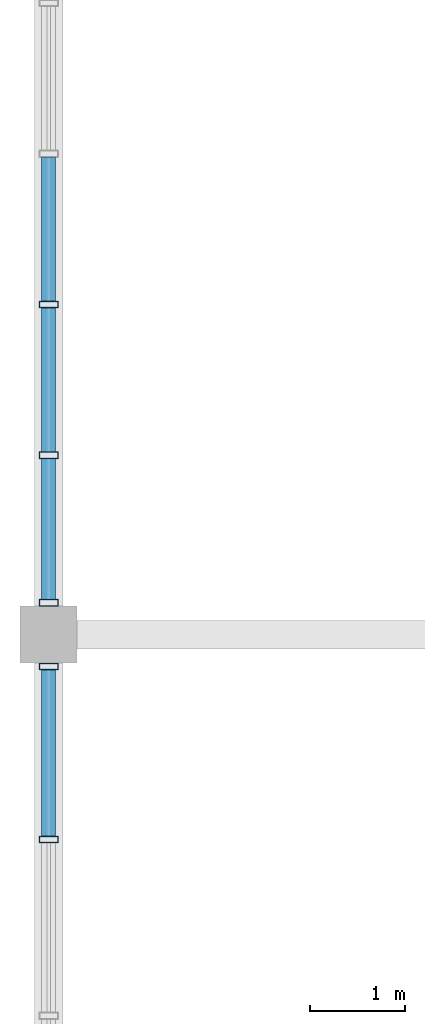
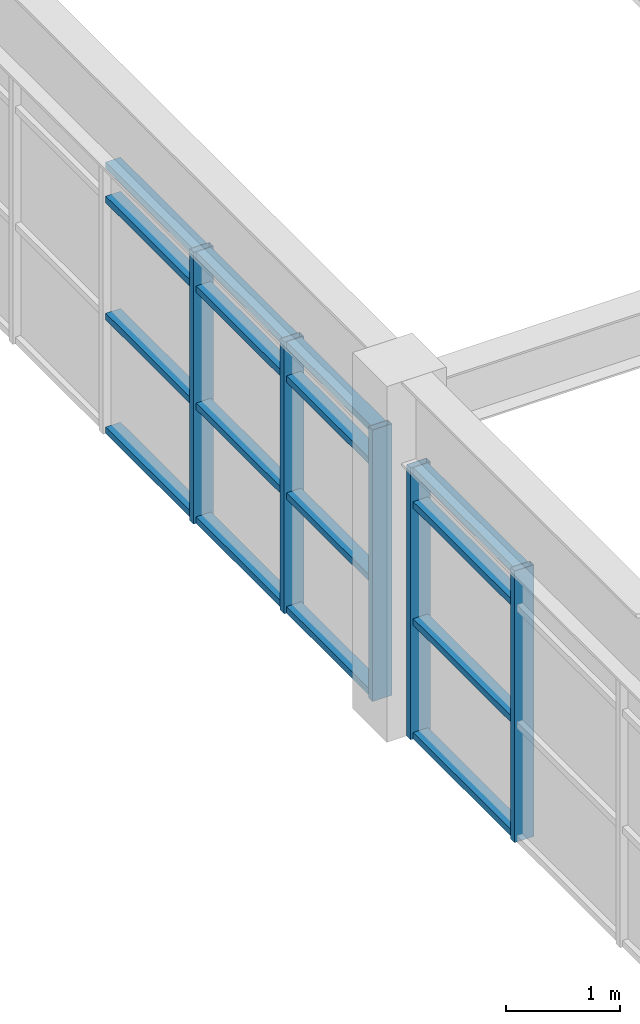
# One storey, part 5 of 28: 21 members, 2 elements without a shape of their own.
"""IFC4 building model written with IfcOpenShell, lengths in metres."""

from ifc_helpers import new_model, si_unit, direction, frame, origin, origin_2d, place, context, subcontext, project, spatial, hollow_rectangle, extrude, source, transform, mapped, material, layer, layer_set, material_profile, profile_set, type_object, element, aggregate, save


model = new_model("IFC4")

# Units and contexts
model_context = context("Model", 3, precision=1e-05, world=origin(), true_north=direction((0.0, 1.0)))
body_context = subcontext(model_context, "Body", "Model", "MODEL_VIEW")
ifc_project = project(units=[si_unit("LENGTHUNIT", "METRE"), si_unit("AREAUNIT", "SQUARE_METRE"), si_unit("VOLUMEUNIT", "CUBIC_METRE"), si_unit("PLANEANGLEUNIT", "RADIAN"), si_unit("MASSUNIT", "GRAM", prefix="KILO")], contexts=[model_context])

# Site, building, storey
site_placement = place(None, origin())
site = spatial("IfcSite", under=ifc_project, at=site_placement, CompositionType="ELEMENT")
building_placement = place(site_placement, origin())
building = spatial("IfcBuilding", under=site, at=building_placement, Name="Saelheon Loggia Tower", CompositionType="ELEMENT")
storey_placement = place(building_placement, frame((0.0, 0.0, 271.199951171875)))
storey = spatial("IfcBuildingStorey", under=building, at=storey_placement, Name="CR6", CompositionType="ELEMENT", Elevation=271.199951171875)

# Curtain wall, members
ifc_material_1 = material(Name="Bronze-Anodised Aluminium and Fritted Ceramic Screen", Category="aluminium")
ifc_layer = layer(ifc_material_1, 0.219970703125)
ifc_layer_set = layer_set([ifc_layer], Name="Bronze-Anodised Aluminium and Fritted Ceramic Screen")
curtain_wall_type = type_object("IfcCurtainWallType", Name="CW_CrownScreen", PredefinedType="NOTDEFINED", material=ifc_layer_set)
curtain_wall_1_placement = place(storey_placement, origin())
curtain_wall_1 = element("IfcCurtainWall", 1, at=curtain_wall_1_placement, inside=storey, type_object=curtain_wall_type, Name="CR6 Crown Screen Curtain Wall 9-2", PredefinedType="NOTDEFINED")
ifc_material_2 = material(Name="Bronze-Anodised Aluminium 6063-T6", Category="aluminium")
ifc_material_profile_1 = material_profile(ifc_material_2, hollow_rectangle(XDim=0.070068359375, YDim=0.199951171875, WallThickness=0.0048828125, at=origin_2d()), Name="RHS-200x70x5")
ifc_profile_set_1 = profile_set([ifc_material_profile_1], Name="Bronze-Anodised Aluminium 6063-T6")
member_type_1 = type_object("IfcMemberType", Name="CW_CrownScreen_Mullion", PredefinedType="MULLION", material=ifc_profile_set_1)
shared_shape_1 = source(origin(), body_context, "Body", "SweptSolid", [
    extrude(hollow_rectangle(XDim=0.070068359375, YDim=0.199951171875, WallThickness=0.0048828125, at=origin_2d()), origin(), (0.0, 0.0, 1.0), 2.900146484375),
])
member_1_placement = place(storey_placement, frame((23.35009765625, 21.463623046875, 0.0), z_axis=(0.0, 0.0, 1.0), x_axis=(0.0, -1.0, 0.0)))
member_1 = element("IfcMember", 2, at=member_1_placement, type_object=member_type_1, Name="CW6 mullion 10", PredefinedType="MULLION", context=body_context, shape_type="MappedRepresentation", body=[
    mapped(shared_shape_1, transform((0.0, 0.0, 0.0), scale=1.0)),
])
member_2_placement = place(storey_placement, frame((23.35009765625, 19.8818359375, 0.0), z_axis=(0.0, 0.0, 1.0), x_axis=(0.0, -1.0, 0.0)))
member_2 = element("IfcMember", 3, at=member_2_placement, type_object=member_type_1, Name="CW6 mullion 11", PredefinedType="MULLION", context=body_context, shape_type="MappedRepresentation", body=[
    mapped(shared_shape_1, transform((0.0, 0.0, 0.0), scale=1.0)),
])
member_3_placement = place(storey_placement, frame((23.35009765625, 18.3349609375, 0.0), z_axis=(0.0, 0.0, 1.0), x_axis=(0.0, -1.0, 0.0)))
member_3 = element("IfcMember", 4, at=member_3_placement, type_object=member_type_1, Name="CW6 mullion 12", PredefinedType="MULLION", context=body_context, shape_type="MappedRepresentation", body=[
    mapped(shared_shape_1, transform((0.0, 0.0, 0.0), scale=1.0)),
])

curtain_wall_2_placement = place(storey_placement, origin())
curtain_wall_2 = element("IfcCurtainWall", 5, at=curtain_wall_2_placement, inside=storey, type_object=curtain_wall_type, Name="CR6 Crown Screen Curtain Wall 9-3", PredefinedType="NOTDEFINED")
member_4_placement = place(storey_placement, frame((23.35009765625, 17.6650390625, 0.0), z_axis=(0.0, 0.0, 1.0), x_axis=(0.0, -1.0, 0.0)))
member_4 = element("IfcMember", 6, at=member_4_placement, type_object=member_type_1, Name="CW6 mullion 1", PredefinedType="MULLION", context=body_context, shape_type="MappedRepresentation", body=[
    mapped(shared_shape_1, transform((0.0, 0.0, 0.0), scale=1.0)),
])
member_5_placement = place(storey_placement, frame((23.35009765625, 15.85009765625, 0.0), z_axis=(0.0, 0.0, 1.0), x_axis=(0.0, -1.0, 0.0)))
member_5 = element("IfcMember", 7, at=member_5_placement, type_object=member_type_1, Name="CW6 mullion 2", PredefinedType="MULLION", context=body_context, shape_type="MappedRepresentation", body=[
    mapped(shared_shape_1, transform((0.0, 0.0, 0.0), scale=1.0)),
])
ifc_material_profile_2 = material_profile(ifc_material_2, hollow_rectangle(XDim=0.070068359375, YDim=0.14990234375, WallThickness=0.0048828125, at=origin_2d()), Name="RHS-150x70x5")
ifc_profile_set_2 = profile_set([ifc_material_profile_2], Name="Bronze-Anodised Aluminium 6063-T6")
member_type_2 = type_object("IfcMemberType", Name="CW_CrownScreen_Transom", PredefinedType="USERDEFINED", material=ifc_profile_set_2)
shared_shape_2 = source(origin(), body_context, "Body", "SweptSolid", [
    extrude(hollow_rectangle(XDim=0.070068359375, YDim=0.14990234375, WallThickness=0.0048828125, at=origin_2d()), origin(), (0.0, 0.0, 1.0), 1.744873046875),
])
member_6_placement = place(storey_placement, frame((23.35009765625, 17.6298828125, 0.03515625), z_axis=(0.0, -1.0, 0.0), x_axis=(0.0, 0.0, 1.0)))
member_6 = element("IfcMember", 8, at=member_6_placement, type_object=member_type_2, Name="CW6 transom 1.1", ObjectType="TRANSOM", PredefinedType="USERDEFINED", context=body_context, shape_type="MappedRepresentation", body=[
    mapped(shared_shape_2, transform((0.0, 0.0, 0.0), scale=1.0)),
])
member_7_placement = place(storey_placement, frame((23.35009765625, 17.6298828125, 1.25), z_axis=(0.0, -1.0, 0.0), x_axis=(0.0, 0.0, 1.0)))
member_7 = element("IfcMember", 9, at=member_7_placement, type_object=member_type_2, Name="CW6 transom 1.2", ObjectType="TRANSOM", PredefinedType="USERDEFINED", context=body_context, shape_type="MappedRepresentation", body=[
    mapped(shared_shape_2, transform((0.0, 0.0, 0.0), scale=1.0)),
])
member_8_placement = place(storey_placement, frame((23.35009765625, 17.6298828125, 2.5), z_axis=(0.0, -1.0, 0.0), x_axis=(0.0, 0.0, 1.0)))
member_8 = element("IfcMember", 10, at=member_8_placement, type_object=member_type_2, Name="CW6 transom 1.3", ObjectType="TRANSOM", PredefinedType="USERDEFINED", context=body_context, shape_type="MappedRepresentation", body=[
    mapped(shared_shape_2, transform((0.0, 0.0, 0.0), scale=1.0)),
])
member_9_placement = place(storey_placement, frame((23.35009765625, 17.6298828125, 2.864990234375), z_axis=(0.0, -1.0, 0.0), x_axis=(0.0, 0.0, 1.0)))
member_9 = element("IfcMember", 11, at=member_9_placement, type_object=member_type_2, Name="CW6 transom 1.4", ObjectType="TRANSOM", PredefinedType="USERDEFINED", context=body_context, shape_type="MappedRepresentation", body=[
    mapped(shared_shape_2, transform((0.0, 0.0, 0.0), scale=1.0)),
])
aggregate(curtain_wall_2, [member_4, member_5, member_6, member_7, member_8, member_9])

# Member
shared_shape_3 = source(origin(), body_context, "Body", "SweptSolid", [
    extrude(hollow_rectangle(XDim=0.070068359375, YDim=0.14990234375, WallThickness=0.0048828125, at=origin_2d()), origin(), (0.0, 0.0, 1.0), 1.476806640625),
])
member_10_placement = place(storey_placement, frame((23.35009765625, 19.846923828125, 0.03515625), z_axis=(0.0, -1.0, 0.0), x_axis=(0.0, 0.0, 1.0)))
member_10 = element("IfcMember", 12, at=member_10_placement, type_object=member_type_2, Name="CW6 transom 11.1", ObjectType="TRANSOM", PredefinedType="USERDEFINED", context=body_context, shape_type="MappedRepresentation", body=[
    mapped(shared_shape_3, transform((0.0, 0.0, 0.0), scale=1.0)),
])

member_11_placement = place(storey_placement, frame((23.35009765625, 19.846923828125, 1.25), z_axis=(0.0, -1.0, 0.0), x_axis=(0.0, 0.0, 1.0)))
member_11 = element("IfcMember", 13, at=member_11_placement, type_object=member_type_2, Name="CW6 transom 11.2", ObjectType="TRANSOM", PredefinedType="USERDEFINED", context=body_context, shape_type="MappedRepresentation", body=[
    mapped(shared_shape_3, transform((0.0, 0.0, 0.0), scale=1.0)),
])

member_12_placement = place(storey_placement, frame((23.35009765625, 19.846923828125, 2.5), z_axis=(0.0, -1.0, 0.0), x_axis=(0.0, 0.0, 1.0)))
member_12 = element("IfcMember", 14, at=member_12_placement, type_object=member_type_2, Name="CW6 transom 11.3", ObjectType="TRANSOM", PredefinedType="USERDEFINED", context=body_context, shape_type="MappedRepresentation", body=[
    mapped(shared_shape_3, transform((0.0, 0.0, 0.0), scale=1.0)),
])

member_13_placement = place(storey_placement, frame((23.35009765625, 19.846923828125, 2.864990234375), z_axis=(0.0, -1.0, 0.0), x_axis=(0.0, 0.0, 1.0)))
member_13 = element("IfcMember", 15, at=member_13_placement, type_object=member_type_2, Name="CW6 transom 11.4", ObjectType="TRANSOM", PredefinedType="USERDEFINED", context=body_context, shape_type="MappedRepresentation", body=[
    mapped(shared_shape_3, transform((0.0, 0.0, 0.0), scale=1.0)),
])

shared_shape_4 = source(origin(), body_context, "Body", "SweptSolid", [
    extrude(hollow_rectangle(XDim=0.070068359375, YDim=0.14990234375, WallThickness=0.0048828125, at=origin_2d()), origin(), (0.0, 0.0, 1.0), 1.511962890625),
])
member_14_placement = place(storey_placement, frame((23.35009765625, 23.010498046875, 0.03515625), z_axis=(0.0, -1.0, 0.0), x_axis=(0.0, 0.0, 1.0)))
member_14 = element("IfcMember", 16, at=member_14_placement, type_object=member_type_2, Name="CW6 transom 9.1", ObjectType="TRANSOM", PredefinedType="USERDEFINED", context=body_context, shape_type="MappedRepresentation", body=[
    mapped(shared_shape_4, transform((0.0, 0.0, 0.0), scale=1.0)),
])

member_15_placement = place(storey_placement, frame((23.35009765625, 23.010498046875, 1.25), z_axis=(0.0, -1.0, 0.0), x_axis=(0.0, 0.0, 1.0)))
member_15 = element("IfcMember", 17, at=member_15_placement, type_object=member_type_2, Name="CW6 transom 9.2", ObjectType="TRANSOM", PredefinedType="USERDEFINED", context=body_context, shape_type="MappedRepresentation", body=[
    mapped(shared_shape_4, transform((0.0, 0.0, 0.0), scale=1.0)),
])

member_16_placement = place(storey_placement, frame((23.35009765625, 23.010498046875, 2.5), z_axis=(0.0, -1.0, 0.0), x_axis=(0.0, 0.0, 1.0)))
member_16 = element("IfcMember", 18, at=member_16_placement, type_object=member_type_2, Name="CW6 transom 9.3", ObjectType="TRANSOM", PredefinedType="USERDEFINED", context=body_context, shape_type="MappedRepresentation", body=[
    mapped(shared_shape_4, transform((0.0, 0.0, 0.0), scale=1.0)),
])

member_17_placement = place(storey_placement, frame((23.35009765625, 23.010498046875, 2.864990234375), z_axis=(0.0, -1.0, 0.0), x_axis=(0.0, 0.0, 1.0)))
member_17 = element("IfcMember", 19, at=member_17_placement, type_object=member_type_2, Name="CW6 transom 9.4", ObjectType="TRANSOM", PredefinedType="USERDEFINED", context=body_context, shape_type="MappedRepresentation", body=[
    mapped(shared_shape_4, transform((0.0, 0.0, 0.0), scale=1.0)),
])

member_18_placement = place(storey_placement, frame((23.35009765625, 21.4287109375, 0.03515625), z_axis=(0.0, -1.0, 0.0), x_axis=(0.0, 0.0, 1.0)))
member_18 = element("IfcMember", 20, at=member_18_placement, type_object=member_type_2, Name="CW6 transom 10.1", ObjectType="TRANSOM", PredefinedType="USERDEFINED", context=body_context, shape_type="MappedRepresentation", body=[
    mapped(shared_shape_4, transform((0.0, 0.0, 0.0), scale=1.0)),
])

member_19_placement = place(storey_placement, frame((23.35009765625, 21.4287109375, 1.25), z_axis=(0.0, -1.0, 0.0), x_axis=(0.0, 0.0, 1.0)))
member_19 = element("IfcMember", 21, at=member_19_placement, type_object=member_type_2, Name="CW6 transom 10.2", ObjectType="TRANSOM", PredefinedType="USERDEFINED", context=body_context, shape_type="MappedRepresentation", body=[
    mapped(shared_shape_4, transform((0.0, 0.0, 0.0), scale=1.0)),
])

member_20_placement = place(storey_placement, frame((23.35009765625, 21.4287109375, 2.5), z_axis=(0.0, -1.0, 0.0), x_axis=(0.0, 0.0, 1.0)))
member_20 = element("IfcMember", 22, at=member_20_placement, type_object=member_type_2, Name="CW6 transom 10.3", ObjectType="TRANSOM", PredefinedType="USERDEFINED", context=body_context, shape_type="MappedRepresentation", body=[
    mapped(shared_shape_4, transform((0.0, 0.0, 0.0), scale=1.0)),
])

member_21_placement = place(storey_placement, frame((23.35009765625, 21.4287109375, 2.864990234375), z_axis=(0.0, -1.0, 0.0), x_axis=(0.0, 0.0, 1.0)))
member_21 = element("IfcMember", 23, at=member_21_placement, type_object=member_type_2, Name="CW6 transom 10.4", ObjectType="TRANSOM", PredefinedType="USERDEFINED", context=body_context, shape_type="MappedRepresentation", body=[
    mapped(shared_shape_4, transform((0.0, 0.0, 0.0), scale=1.0)),
])

aggregate(curtain_wall_1, [member_1, member_2, member_3, member_14, member_15, member_16, member_17, member_18, member_19, member_20, member_21, member_10, member_11, member_12, member_13])

save(model, "model.ifc")
